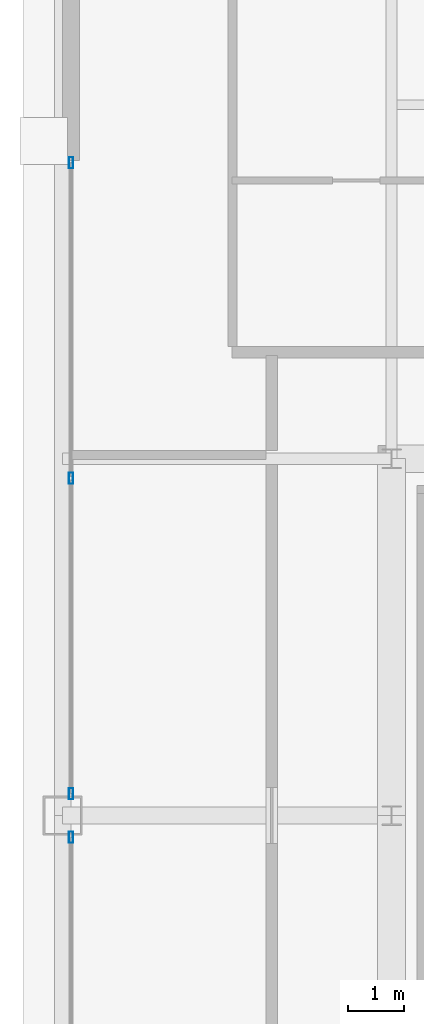
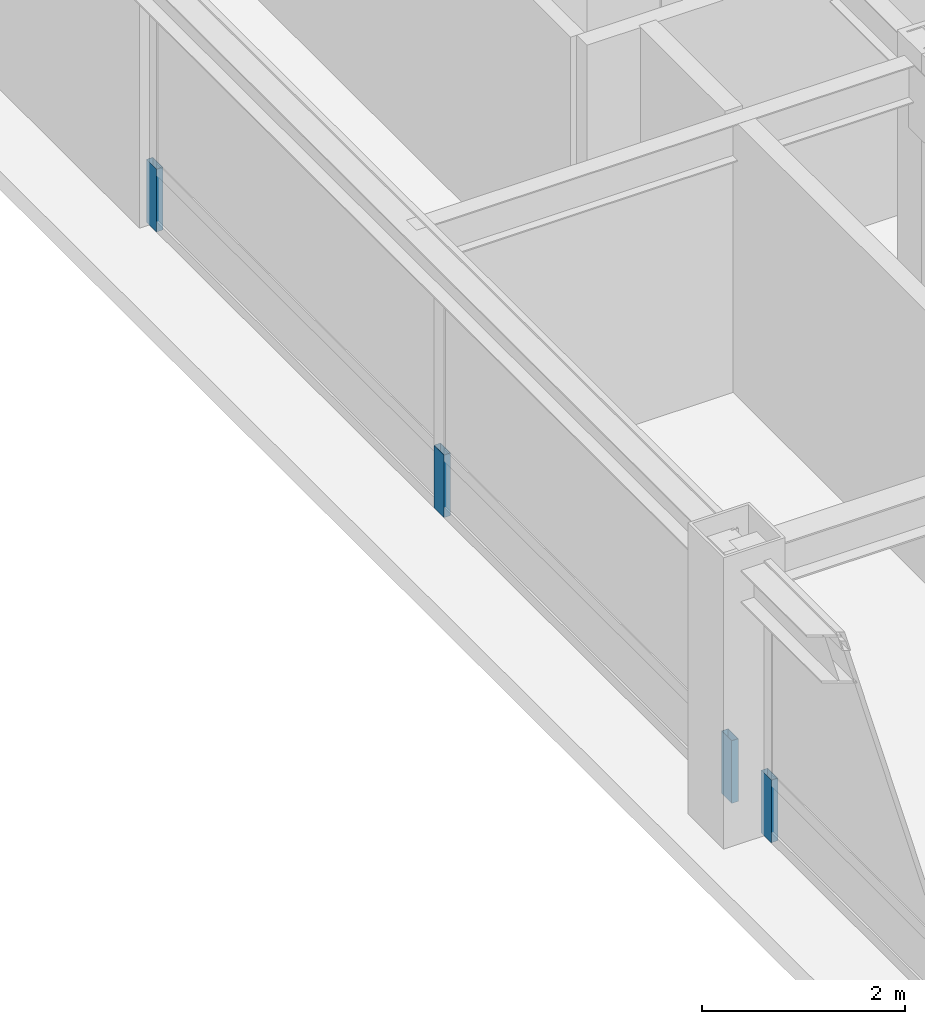
# One storey, part 24 of 35: 4 members, 2 elements without a shape of their own.
"""IFC4 building model written with IfcOpenShell, lengths in metres."""

from ifc_helpers import new_model, si_unit, direction, frame, origin, origin_2d, place, context, subcontext, project, spatial, hollow_rectangle, extrude, source, transform, mapped, material, layer, layer_set, material_profile, profile_set, type_object, element, aggregate, save


model = new_model("IFC4")

# Units and contexts
model_context = context("Model", 3, precision=1e-05, world=origin(), true_north=direction((0.0, 1.0)))
body_context = subcontext(model_context, "Body", "Model", "MODEL_VIEW")
ifc_project = project(units=[si_unit("LENGTHUNIT", "METRE"), si_unit("AREAUNIT", "SQUARE_METRE"), si_unit("VOLUMEUNIT", "CUBIC_METRE"), si_unit("PLANEANGLEUNIT", "RADIAN"), si_unit("MASSUNIT", "GRAM", prefix="KILO"), si_unit("THERMODYNAMICTEMPERATUREUNIT", "KELVIN"), si_unit("POWERUNIT", "WATT")], contexts=[model_context])

# Site, building, storey
site_placement = place(None, origin())
site = spatial("IfcSite", under=ifc_project, at=site_placement, CompositionType="ELEMENT")
building_placement = place(site_placement, origin())
building = spatial("IfcBuilding", under=site, at=building_placement, Name="Yuzanri Waterfront Tower", CompositionType="ELEMENT")
storey_placement = place(building_placement, frame((0.0, 0.0, 296.10009765625)))
storey = spatial("IfcBuildingStorey", under=building, at=storey_placement, Name="L79", CompositionType="ELEMENT", Elevation=296.10009765625)

# Curtain wall, member
ifc_material_1 = material(Name="Anodized Architectural Bronze", Category="metal")
ifc_layer = layer(ifc_material_1, 0.159912109375)
ifc_layer_set = layer_set([ifc_layer], Name="Anodized Architectural Bronze")
curtain_wall_type = type_object("IfcCurtainWallType", Name="Anodized Bronze High-Rise Penthouse High-Wind Unitized Curtain Wall 6900", PredefinedType="NOTDEFINED", material=ifc_layer_set)
curtain_wall_1_placement = place(storey_placement, origin())
curtain_wall_1 = element("IfcCurtainWall", 1, at=curtain_wall_1_placement, inside=storey, type_object=curtain_wall_type, Name="L79 Curtain Wall CW-L79-WL", PredefinedType="NOTDEFINED")
ifc_material_2 = material(Name="Anodized Architectural Bronze", Category="metal")
ifc_material_profile = material_profile(ifc_material_2, hollow_rectangle(XDim=0.074951171875, YDim=0.199951171875, WallThickness=0.00390625, at=origin_2d()), Name="CWM 75x200")
ifc_profile_set = profile_set([ifc_material_profile], Name="Anodized Architectural Bronze")
member_type = type_object("IfcMemberType", Name="Anodized Bronze Primary Curtain-Wall Mullion 75x200", PredefinedType="MULLION", material=ifc_profile_set)
shared_shape = source(origin(), body_context, "Body", "SweptSolid", [
    extrude(hollow_rectangle(XDim=0.074951171875, YDim=0.199951171875, WallThickness=0.00390625, at=origin_2d()), origin(), (0.0, 0.0, 1.0), 0.751953125),
])
member_1_placement = place(storey_placement, frame((18.050048828125, 25.409912109375, 0.0), z_axis=(0.0, 0.0, 1.0), x_axis=(1.0, 0.0, 0.0)))
member_1 = element("IfcMember", 2, at=member_1_placement, type_object=member_type, Name="CW-L79-WL Lower Mullion 02", PredefinedType="MULLION", context=body_context, shape_type="MappedRepresentation", body=[
    mapped(shared_shape, transform((0.0, 0.0, 0.0), scale=1.0)),
])
aggregate(curtain_wall_1, [member_1])

# Curtain wall, members
curtain_wall_2_placement = place(storey_placement, origin())
curtain_wall_2 = element("IfcCurtainWall", 3, at=curtain_wall_2_placement, inside=storey, type_object=curtain_wall_type, Name="L79 Curtain Wall CW-L79-WR", PredefinedType="NOTDEFINED")
member_2_placement = place(storey_placement, frame((18.050048828125, 26.18994140625, 0.0), z_axis=(0.0, 0.0, 1.0), x_axis=(1.0, 0.0, 0.0)))
member_2 = element("IfcMember", 4, at=member_2_placement, type_object=member_type, Name="CW-L79-WR Lower Mullion 00", PredefinedType="MULLION", context=body_context, shape_type="MappedRepresentation", body=[
    mapped(shared_shape, transform((0.0, 0.0, 0.0), scale=1.0)),
])
member_3_placement = place(storey_placement, frame((18.050048828125, 31.85009765625, 0.0), z_axis=(0.0, 0.0, 1.0), x_axis=(1.0, 0.0, 0.0)))
member_3 = element("IfcMember", 5, at=member_3_placement, type_object=member_type, Name="CW-L79-WR Lower Mullion 01", PredefinedType="MULLION", context=body_context, shape_type="MappedRepresentation", body=[
    mapped(shared_shape, transform((0.0, 0.0, 0.0), scale=1.0)),
])
member_4_placement = place(storey_placement, frame((18.050048828125, 37.510009765625, 0.0), z_axis=(0.0, 0.0, 1.0), x_axis=(1.0, 0.0, 0.0)))
member_4 = element("IfcMember", 6, at=member_4_placement, type_object=member_type, Name="CW-L79-WR Lower Mullion 02", PredefinedType="MULLION", context=body_context, shape_type="MappedRepresentation", body=[
    mapped(shared_shape, transform((0.0, 0.0, 0.0), scale=1.0)),
])
aggregate(curtain_wall_2, [member_2, member_3, member_4])

save(model, "model.ifc")
